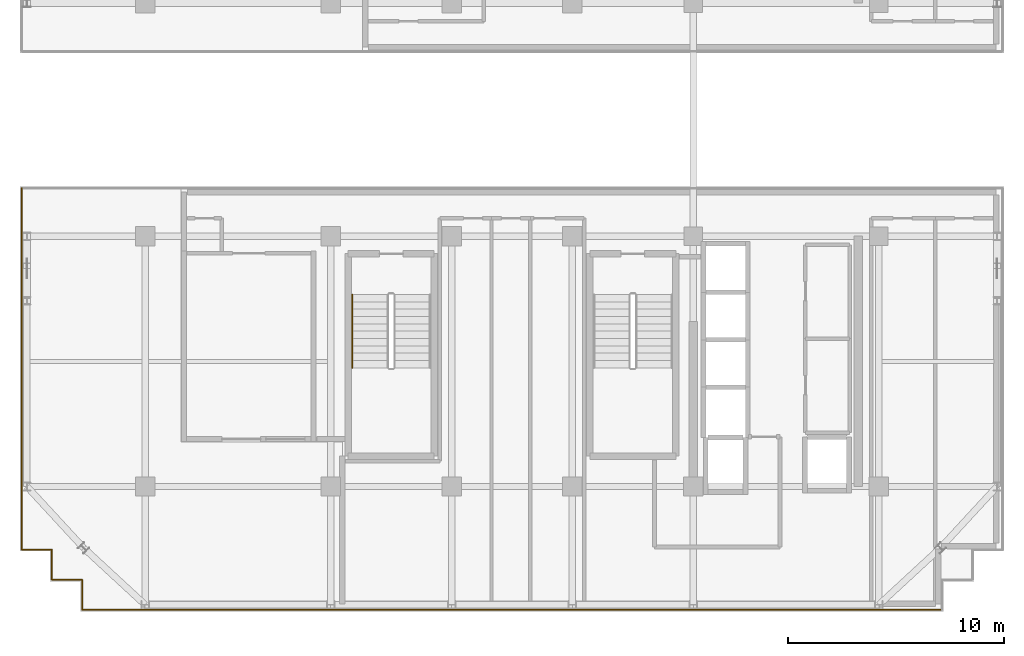
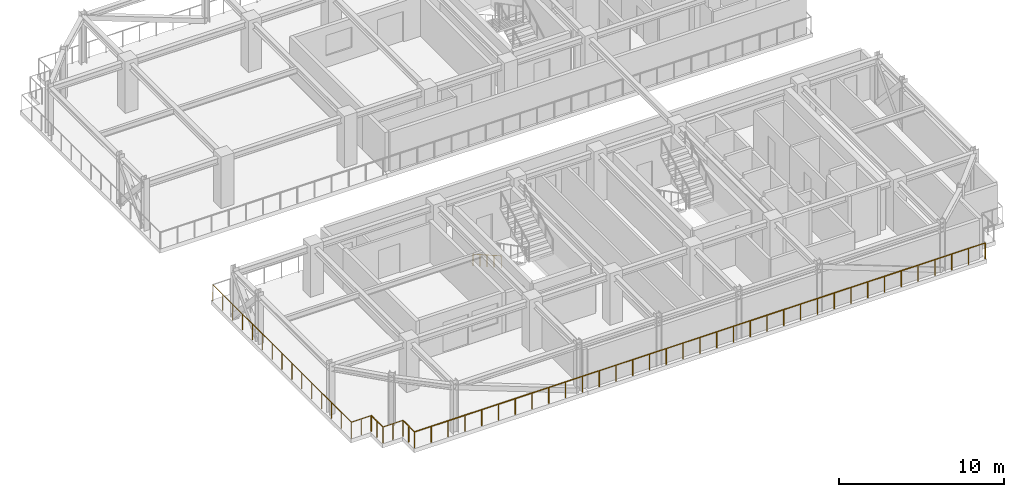
# One storey, part 9 of 14: 7 railings.
"""IFC4 building model written with IfcOpenShell, lengths in metres."""

from ifc_helpers import new_model, si_unit, direction, frame, origin, origin_2d, place, context, subcontext, project, spatial, circle, extrude, material, type_object, element, save


model = new_model("IFC4")

# Units and contexts
model_context = context("Model", 3, precision=1e-05, world=origin(), true_north=direction((0.0, 1.0)))
body_context = subcontext(model_context, "Body", "Model", "MODEL_VIEW")
ifc_project = project(units=[si_unit("LENGTHUNIT", "METRE"), si_unit("AREAUNIT", "SQUARE_METRE"), si_unit("VOLUMEUNIT", "CUBIC_METRE"), si_unit("PLANEANGLEUNIT", "RADIAN"), si_unit("MASSUNIT", "GRAM", prefix="KILO")], contexts=[model_context])

# Site, building, storey
site_placement = place(None, origin())
site = spatial("IfcSite", under=ifc_project, at=site_placement, CompositionType="ELEMENT")
building_placement = place(site_placement, origin())
building = spatial("IfcBuilding", under=site, at=building_placement, Name="Nahalor Promenade Grand Hotel", CompositionType="ELEMENT")
storey_placement = place(building_placement, frame((0.0, 0.0, 300.35009765625)))
storey = spatial("IfcBuildingStorey", under=building, at=storey_placement, Name="L77", CompositionType="ELEMENT", Elevation=300.35009765625)

# Railings
ifc_material_1 = material(Name="Anodised Bronze Aluminium EN AW-6063 T6", Category="aluminium")
railing_type_1 = type_object("IfcRailingType", Name="Bronze Balcony Guardrail 1200 mm", PredefinedType="GUARDRAIL", material=ifc_material_1)
railing_1_placement = place(storey_placement, frame((-19.919921875, -22.719970703125, 0.0)))
element("IfcRailing", 1, at=railing_1_placement, inside=storey, type_object=railing_type_1, Name="L77 Edge Guardrail RL-L77-WP-S-1", PredefinedType="GUARDRAIL", context=body_context, shape_type="SweptSolid", body=[
    extrude(circle(Radius=0.024048, at=origin_2d()), frame((0.0, 0.0, 1.17578125), z_axis=(1.0, 0.0, 0.0), x_axis=(0.0, 1.0, 0.0)), (0.0, 0.0, 1.0), 39.83984375),
    extrude(circle(Radius=0.020996, at=origin_2d()), origin(), (0.0, 0.0, 1.0), 1.14990234375),
    extrude(circle(Radius=0.020996, at=origin_2d()), frame((1.171875, 0.0, 0.0)), (0.0, 0.0, 1.0), 1.14990234375),
    extrude(circle(Radius=0.020996, at=origin_2d()), frame((2.343505859375, 0.0, 0.0)), (0.0, 0.0, 1.0), 1.14990234375),
    extrude(circle(Radius=0.020996, at=origin_2d()), frame((3.515380859375, 0.0, 0.0)), (0.0, 0.0, 1.0), 1.14990234375),
    extrude(circle(Radius=0.020996, at=origin_2d()), frame((4.68701171875, 0.0, 0.0)), (0.0, 0.0, 1.0), 1.14990234375),
    extrude(circle(Radius=0.020996, at=origin_2d()), frame((5.85888671875, 0.0, 0.0)), (0.0, 0.0, 1.0), 1.14990234375),
    extrude(circle(Radius=0.020996, at=origin_2d()), frame((7.030517578125, 0.0, 0.0)), (0.0, 0.0, 1.0), 1.14990234375),
    extrude(circle(Radius=0.020996, at=origin_2d()), frame((8.202392578125, 0.0, 0.0)), (0.0, 0.0, 1.0), 1.14990234375),
    extrude(circle(Radius=0.020996, at=origin_2d()), frame((9.3740234375, 0.0, 0.0)), (0.0, 0.0, 1.0), 1.14990234375),
    extrude(circle(Radius=0.020996, at=origin_2d()), frame((10.5458984375, 0.0, 0.0)), (0.0, 0.0, 1.0), 1.14990234375),
    extrude(circle(Radius=0.020996, at=origin_2d()), frame((11.717529296875, 0.0, 0.0)), (0.0, 0.0, 1.0), 1.14990234375),
    extrude(circle(Radius=0.020996, at=origin_2d()), frame((12.889404296875, 0.0, 0.0)), (0.0, 0.0, 1.0), 1.14990234375),
    extrude(circle(Radius=0.020996, at=origin_2d()), frame((14.06103515625, 0.0, 0.0)), (0.0, 0.0, 1.0), 1.14990234375),
    extrude(circle(Radius=0.020996, at=origin_2d()), frame((15.23291015625, 0.0, 0.0)), (0.0, 0.0, 1.0), 1.14990234375),
    extrude(circle(Radius=0.020996, at=origin_2d()), frame((16.404541015625, 0.0, 0.0)), (0.0, 0.0, 1.0), 1.14990234375),
    extrude(circle(Radius=0.020996, at=origin_2d()), frame((17.576416015625, 0.0, 0.0)), (0.0, 0.0, 1.0), 1.14990234375),
    extrude(circle(Radius=0.020996, at=origin_2d()), frame((18.748046875, 0.0, 0.0)), (0.0, 0.0, 1.0), 1.14990234375),
    extrude(circle(Radius=0.020996, at=origin_2d()), frame((19.919921875, 0.0, 0.0)), (0.0, 0.0, 1.0), 1.14990234375),
    extrude(circle(Radius=0.020996, at=origin_2d()), frame((21.091796875, 0.0, 0.0)), (0.0, 0.0, 1.0), 1.14990234375),
    extrude(circle(Radius=0.020996, at=origin_2d()), frame((22.263427734375, 0.0, 0.0)), (0.0, 0.0, 1.0), 1.14990234375),
    extrude(circle(Radius=0.020996, at=origin_2d()), frame((23.435302734375, 0.0, 0.0)), (0.0, 0.0, 1.0), 1.14990234375),
    extrude(circle(Radius=0.020996, at=origin_2d()), frame((24.60693359375, 0.0, 0.0)), (0.0, 0.0, 1.0), 1.14990234375),
    extrude(circle(Radius=0.020996, at=origin_2d()), frame((25.77880859375, 0.0, 0.0)), (0.0, 0.0, 1.0), 1.14990234375),
    extrude(circle(Radius=0.020996, at=origin_2d()), frame((26.950439453125, 0.0, 0.0)), (0.0, 0.0, 1.0), 1.14990234375),
    extrude(circle(Radius=0.020996, at=origin_2d()), frame((28.122314453125, 0.0, 0.0)), (0.0, 0.0, 1.0), 1.14990234375),
    extrude(circle(Radius=0.020996, at=origin_2d()), frame((29.2939453125, 0.0, 0.0)), (0.0, 0.0, 1.0), 1.14990234375),
    extrude(circle(Radius=0.020996, at=origin_2d()), frame((30.4658203125, 0.0, 0.0)), (0.0, 0.0, 1.0), 1.14990234375),
    extrude(circle(Radius=0.020996, at=origin_2d()), frame((31.637451171875, 0.0, 0.0)), (0.0, 0.0, 1.0), 1.14990234375),
    extrude(circle(Radius=0.020996, at=origin_2d()), frame((32.809326171875, 0.0, 0.0)), (0.0, 0.0, 1.0), 1.14990234375),
    extrude(circle(Radius=0.020996, at=origin_2d()), frame((33.98095703125, 0.0, 0.0)), (0.0, 0.0, 1.0), 1.14990234375),
    extrude(circle(Radius=0.020996, at=origin_2d()), frame((35.15283203125, 0.0, 0.0)), (0.0, 0.0, 1.0), 1.14990234375),
    extrude(circle(Radius=0.020996, at=origin_2d()), frame((36.324462890625, 0.0, 0.0)), (0.0, 0.0, 1.0), 1.14990234375),
    extrude(circle(Radius=0.020996, at=origin_2d()), frame((37.496337890625, 0.0, 0.0)), (0.0, 0.0, 1.0), 1.14990234375),
    extrude(circle(Radius=0.020996, at=origin_2d()), frame((38.66796875, 0.0, 0.0)), (0.0, 0.0, 1.0), 1.14990234375),
    extrude(circle(Radius=0.020996, at=origin_2d()), frame((39.83984375, 0.0, 0.0)), (0.0, 0.0, 1.0), 1.14990234375),
])
railing_2_placement = place(storey_placement, frame((-22.719970703125, -3.179931640625, 0.0)))
element("IfcRailing", 2, at=railing_2_placement, inside=storey, type_object=railing_type_1, Name="L77 Edge Guardrail RL-L77-WP-S-8", PredefinedType="GUARDRAIL", context=body_context, shape_type="SweptSolid", body=[
    extrude(circle(Radius=0.024048, at=origin_2d()), frame((0.0, 0.0, 1.17578125), z_axis=(0.0, -1.0, 0.0), x_axis=(1.0, 0.0, 0.0)), (0.0, 0.0, 1.0), 16.739990234375),
    extrude(circle(Radius=0.020996, at=origin_2d()), origin(), (0.0, 0.0, 1.0), 1.14990234375),
    extrude(circle(Radius=0.020996, at=origin_2d()), frame((0.0, -1.19580078125, 0.0)), (0.0, 0.0, 1.0), 1.14990234375),
    extrude(circle(Radius=0.020996, at=origin_2d()), frame((0.0, -2.391357421875, 0.0)), (0.0, 0.0, 1.0), 1.14990234375),
    extrude(circle(Radius=0.020996, at=origin_2d()), frame((0.0, -3.587158203125, 0.0)), (0.0, 0.0, 1.0), 1.14990234375),
    extrude(circle(Radius=0.020996, at=origin_2d()), frame((0.0, -4.782958984375, 0.0)), (0.0, 0.0, 1.0), 1.14990234375),
    extrude(circle(Radius=0.020996, at=origin_2d()), frame((0.0, -5.978515625, 0.0)), (0.0, 0.0, 1.0), 1.14990234375),
    extrude(circle(Radius=0.020996, at=origin_2d()), frame((0.0, -7.17431640625, 0.0)), (0.0, 0.0, 1.0), 1.14990234375),
    extrude(circle(Radius=0.020996, at=origin_2d()), frame((0.0, -8.3701171875, 0.0)), (0.0, 0.0, 1.0), 1.14990234375),
    extrude(circle(Radius=0.020996, at=origin_2d()), frame((0.0, -9.565673828125, 0.0)), (0.0, 0.0, 1.0), 1.14990234375),
    extrude(circle(Radius=0.020996, at=origin_2d()), frame((0.0, -10.761474609375, 0.0)), (0.0, 0.0, 1.0), 1.14990234375),
    extrude(circle(Radius=0.020996, at=origin_2d()), frame((0.0, -11.95703125, 0.0)), (0.0, 0.0, 1.0), 1.14990234375),
    extrude(circle(Radius=0.020996, at=origin_2d()), frame((0.0, -13.15283203125, 0.0)), (0.0, 0.0, 1.0), 1.14990234375),
    extrude(circle(Radius=0.020996, at=origin_2d()), frame((0.0, -14.3486328125, 0.0)), (0.0, 0.0, 1.0), 1.14990234375),
    extrude(circle(Radius=0.020996, at=origin_2d()), frame((0.0, -15.544189453125, 0.0)), (0.0, 0.0, 1.0), 1.14990234375),
    extrude(circle(Radius=0.020996, at=origin_2d()), frame((0.0, -16.739990234375, 0.0)), (0.0, 0.0, 1.0), 1.14990234375),
])
railing_3_placement = place(storey_placement, frame((-22.719970703125, -19.919921875, 0.0)))
element("IfcRailing", 3, at=railing_3_placement, inside=storey, type_object=railing_type_1, Name="L77 Edge Guardrail RL-L77-WP-S-9", PredefinedType="GUARDRAIL", context=body_context, shape_type="SweptSolid", body=[
    extrude(circle(Radius=0.024048, at=origin_2d()), frame((0.0, 0.0, 1.17578125), z_axis=(1.0, 0.0, 0.0), x_axis=(0.0, 1.0, 0.0)), (0.0, 0.0, 1.0), 1.39990234375),
    extrude(circle(Radius=0.020996, at=origin_2d()), origin(), (0.0, 0.0, 1.0), 1.14990234375),
    extrude(circle(Radius=0.020996, at=origin_2d()), frame((0.699951171875, 0.0, 0.0)), (0.0, 0.0, 1.0), 1.14990234375),
    extrude(circle(Radius=0.020996, at=origin_2d()), frame((1.39990234375, 0.0, 0.0)), (0.0, 0.0, 1.0), 1.14990234375),
])
railing_4_placement = place(storey_placement, frame((-21.320068359375, -19.919921875, 0.0)))
element("IfcRailing", 4, at=railing_4_placement, inside=storey, type_object=railing_type_1, Name="L77 Edge Guardrail RL-L77-WP-S-10", PredefinedType="GUARDRAIL", context=body_context, shape_type="SweptSolid", body=[
    extrude(circle(Radius=0.024048, at=origin_2d()), frame((0.0, 0.0, 1.17578125), z_axis=(0.0, -1.0, 0.0), x_axis=(1.0, 0.0, 0.0)), (0.0, 0.0, 1.0), 1.400146484375),
    extrude(circle(Radius=0.020996, at=origin_2d()), origin(), (0.0, 0.0, 1.0), 1.14990234375),
    extrude(circle(Radius=0.020996, at=origin_2d()), frame((0.0, -0.7001953125, 0.0)), (0.0, 0.0, 1.0), 1.14990234375),
    extrude(circle(Radius=0.020996, at=origin_2d()), frame((0.0, -1.400146484375, 0.0)), (0.0, 0.0, 1.0), 1.14990234375),
])
railing_5_placement = place(storey_placement, frame((-21.320068359375, -21.320068359375, 0.0)))
element("IfcRailing", 5, at=railing_5_placement, inside=storey, type_object=railing_type_1, Name="L77 Edge Guardrail RL-L77-WP-S-11", PredefinedType="GUARDRAIL", context=body_context, shape_type="SweptSolid", body=[
    extrude(circle(Radius=0.024048, at=origin_2d()), frame((0.0, 0.0, 1.17578125), z_axis=(1.0, 0.0, 0.0), x_axis=(0.0, 1.0, 0.0)), (0.0, 0.0, 1.0), 1.400146484375),
    extrude(circle(Radius=0.020996, at=origin_2d()), origin(), (0.0, 0.0, 1.0), 1.14990234375),
    extrude(circle(Radius=0.020996, at=origin_2d()), frame((0.7001953125, 0.0, 0.0)), (0.0, 0.0, 1.0), 1.14990234375),
    extrude(circle(Radius=0.020996, at=origin_2d()), frame((1.400146484375, 0.0, 0.0)), (0.0, 0.0, 1.0), 1.14990234375),
])
railing_6_placement = place(storey_placement, frame((-19.919921875, -21.320068359375, 0.0)))
element("IfcRailing", 6, at=railing_6_placement, inside=storey, type_object=railing_type_1, Name="L77 Edge Guardrail RL-L77-WP-S-12", PredefinedType="GUARDRAIL", context=body_context, shape_type="SweptSolid", body=[
    extrude(circle(Radius=0.024048, at=origin_2d()), frame((0.0, 0.0, 1.17578125), z_axis=(0.0, -1.0, 0.0), x_axis=(1.0, 0.0, 0.0)), (0.0, 0.0, 1.0), 1.39990234375),
    extrude(circle(Radius=0.020996, at=origin_2d()), origin(), (0.0, 0.0, 1.0), 1.14990234375),
    extrude(circle(Radius=0.020996, at=origin_2d()), frame((0.0, -0.699951171875, 0.0)), (0.0, 0.0, 1.0), 1.14990234375),
    extrude(circle(Radius=0.020996, at=origin_2d()), frame((0.0, -1.39990234375, 0.0)), (0.0, 0.0, 1.0), 1.14990234375),
])
ifc_material_2 = material(Name="Steel S355JR", Category="steel")
railing_type_2 = type_object("IfcRailingType", Name="Steel Stair Handrail 900 mm", PredefinedType="HANDRAIL", material=ifc_material_2)
railing_7_placement = place(storey_placement, frame((-7.39990234375, -8.10009765625, 0.1748046875)))
element("IfcRailing", 7, at=railing_7_placement, inside=storey, type_object=railing_type_2, Name="L77 ST3 stair handrail 1", PredefinedType="HANDRAIL", context=body_context, shape_type="SweptSolid", body=[
    extrude(circle(Radius=0.024048, at=origin_2d()), frame((0.0, 0.0, 0.8759765625), z_axis=(0.0, -0.870193670192, 0.492709829776), x_axis=(1.0, 0.0, 0.0)), (0.0, 0.0, 1.0), 3.906982421875),
    extrude(circle(Radius=0.020996, at=origin_2d()), origin(), (0.0, 0.0, 1.0), 0.849853515625),
    extrude(circle(Radius=0.020996, at=origin_2d()), frame((0.0, -0.85009765625, 0.481201171875)), (0.0, 0.0, 1.0), 0.849853515625),
    extrude(circle(Radius=0.020996, at=origin_2d()), frame((0.0, -1.699951171875, 0.96240234375)), (0.0, 0.0, 1.0), 0.849853515625),
    extrude(circle(Radius=0.020996, at=origin_2d()), frame((0.0, -2.5498046875, 1.44384765625)), (0.0, 0.0, 1.0), 0.849853515625),
    extrude(circle(Radius=0.020996, at=origin_2d()), frame((0.0, -3.39990234375, 1.925048828125)), (0.0, 0.0, 1.0), 0.849853515625),
])

save(model, "model.ifc")
